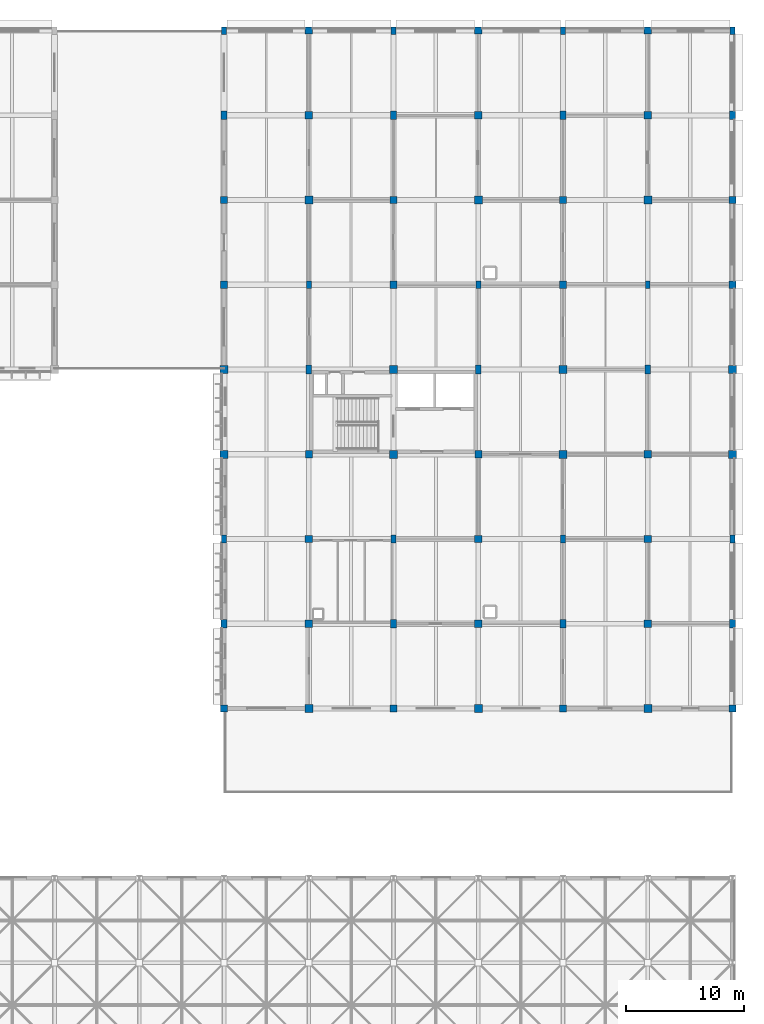
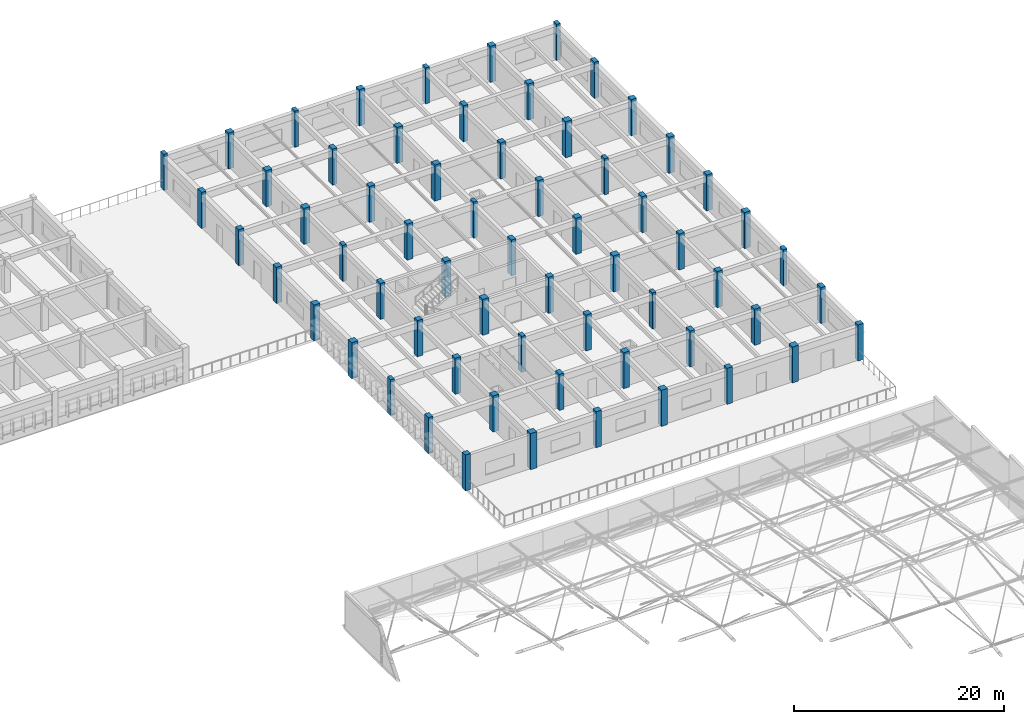
# One storey, part 8 of 103: 63 columns.
"""IFC4 building model written with IfcOpenShell, lengths in metres."""

from ifc_helpers import new_model, si_unit, direction, frame, origin, origin_2d, place, context, subcontext, project, spatial, rectangle, extrude, material, material_profile, profile_set, type_object, element, save


model = new_model("IFC4")

# Units and contexts
model_context = context("Model", 3, precision=1e-05, world=origin(), true_north=direction((0.0, 1.0)))
body_context = subcontext(model_context, "Body", "Model", "MODEL_VIEW")
ifc_project = project(units=[si_unit("LENGTHUNIT", "METRE"), si_unit("AREAUNIT", "SQUARE_METRE"), si_unit("VOLUMEUNIT", "CUBIC_METRE"), si_unit("PLANEANGLEUNIT", "RADIAN"), si_unit("MASSUNIT", "GRAM", prefix="KILO")], contexts=[model_context])

# Site, building, storey
site_placement = place(None, origin())
site = spatial("IfcSite", under=ifc_project, at=site_placement, CompositionType="ELEMENT")
building_placement = place(site_placement, origin())
building = spatial("IfcBuilding", under=site, at=building_placement, Name="Thalmaran Polytechnic", CompositionType="ELEMENT")
storey_placement = place(building_placement, frame((0.0, 0.0, 14.39990234375)))
storey = spatial("IfcBuildingStorey", under=building, at=storey_placement, Name="L03", CompositionType="ELEMENT", Elevation=14.39990234375)

# Columns
ifc_material = material(Name="Concrete C40/50", Category="concrete")
ifc_material_profile_1 = material_profile(ifc_material, rectangle(XDim=0.64990234375, YDim=0.64990234375, at=origin_2d()), Name="RC 650x650")
ifc_profile_set_1 = profile_set([ifc_material_profile_1], Name="Concrete C40/50")
column_type_1 = type_object("IfcColumnType", Name="COL-C06", PredefinedType="COLUMN", material=ifc_profile_set_1)
for number, where, z_axis, x_axis, name in (
    (1, (129.60009765625, 93.60009765625, 0.0), (0.0, 0.0, 1.0), (1.0, 0.0, 0.0), "Column C06 L03 (18,13)"),
    (2, (136.800048828125, 72.0, 0.0), (0.0, 0.0, 1.0), (1.0, 0.0, 0.0), "Column C06 L03 (19,10)"),
    (3, (136.800048828125, 115.199951171875, 0.0), (0.0, 0.0, 1.0), (1.0, 0.0, 0.0), "Column C06 L03 (19,16)"),
    (4, (144.0, 93.60009765625, 0.0), (0.0, 0.0, 1.0), (1.0, 0.0, 0.0), "Column C06 L03 (20,13)"),
    (5, (151.199951171875, 72.0, 0.0), (0.0, 0.0, 1.0), (1.0, 0.0, 0.0), "Column C06 L03 (21,10)"),
    (6, (151.199951171875, 115.199951171875, 0.0), (0.0, 0.0, 1.0), (1.0, 0.0, 0.0), "Column C06 L03 (21,16)"),
    (7, (158.39990234375, 93.60009765625, 0.0), (0.0, 0.0, 1.0), (1.0, 0.0, 0.0), "Column C06 L03 (22,13)"),
    (8, (165.60009765625, 72.0, 0.0), (0.0, 0.0, 1.0), (1.0, 0.0, 0.0), "Column C06 L03 (23,10)"),
    (9, (165.60009765625, 115.199951171875, 0.0), (0.0, 0.0, 1.0), (1.0, 0.0, 0.0), "Column C06 L03 (23,16)"),
    (10, (172.800048828125, 93.60009765625, 0.0), (0.0, 0.0, 1.0), (1.0, 0.0, 0.0), "Column C06 L03 (24,13)"),
):
    element("IfcColumn", number, at=place(storey_placement, frame(where, z_axis=z_axis, x_axis=x_axis)), inside=storey, type_object=column_type_1, Name=name, PredefinedType="COLUMN", context=body_context, shape_type="SweptSolid", body=[
        extrude(rectangle(XDim=0.64990234375, YDim=0.64990234375, at=origin_2d()), origin(), (0.0, 0.0, 1.0), 4.2001953125),
    ])
ifc_material_profile_2 = material_profile(ifc_material, rectangle(XDim=0.60009765625, YDim=0.60009765625, at=origin_2d()), Name="RC 600x600")
ifc_profile_set_2 = profile_set([ifc_material_profile_2], Name="Concrete C40/50")
column_type_2 = type_object("IfcColumnType", Name="COL-C07", PredefinedType="COLUMN", material=ifc_profile_set_2)
for number, where, z_axis, x_axis, name in (
    (11, (129.60009765625, 64.800048828125, 0.0), (0.0, 0.0, 1.0), (1.0, 0.0, 0.0), "Column C07 L03 (18,9)"),
    (12, (129.60009765625, 108.0, 0.0), (0.0, 0.0, 1.0), (1.0, 0.0, 0.0), "Column C07 L03 (18,15)"),
    (13, (136.800048828125, 86.39990234375, 0.0), (0.0, 0.0, 1.0), (1.0, 0.0, 0.0), "Column C07 L03 (19,12)"),
    (14, (144.0, 64.800048828125, 0.0), (0.0, 0.0, 1.0), (1.0, 0.0, 0.0), "Column C07 L03 (20,9)"),
    (15, (144.0, 108.0, 0.0), (0.0, 0.0, 1.0), (1.0, 0.0, 0.0), "Column C07 L03 (20,15)"),
    (16, (151.199951171875, 86.39990234375, 0.0), (0.0, 0.0, 1.0), (1.0, 0.0, 0.0), "Column C07 L03 (21,12)"),
    (17, (158.39990234375, 64.800048828125, 0.0), (0.0, 0.0, 1.0), (1.0, 0.0, 0.0), "Column C07 L03 (22,9)"),
    (18, (158.39990234375, 108.0, 0.0), (0.0, 0.0, 1.0), (1.0, 0.0, 0.0), "Column C07 L03 (22,15)"),
    (19, (165.60009765625, 86.39990234375, 0.0), (0.0, 0.0, 1.0), (1.0, 0.0, 0.0), "Column C07 L03 (23,12)"),
    (20, (172.800048828125, 64.800048828125, 0.0), (0.0, 0.0, 1.0), (1.0, 0.0, 0.0), "Column C07 L03 (24,9)"),
    (21, (172.800048828125, 108.0, 0.0), (0.0, 0.0, 1.0), (1.0, 0.0, 0.0), "Column C07 L03 (24,15)"),
):
    element("IfcColumn", number, at=place(storey_placement, frame(where, z_axis=z_axis, x_axis=x_axis)), inside=storey, type_object=column_type_2, Name=name, PredefinedType="COLUMN", context=body_context, shape_type="SweptSolid", body=[
        extrude(rectangle(XDim=0.60009765625, YDim=0.60009765625, at=origin_2d()), origin(), (0.0, 0.0, 1.0), 4.2001953125),
    ])
ifc_material_profile_3 = material_profile(ifc_material, rectangle(XDim=0.5, YDim=0.75, at=origin_2d()), Name="RC 500x750")
ifc_profile_set_3 = profile_set([ifc_material_profile_3], Name="Concrete C40/50")
column_type_3 = type_object("IfcColumnType", Name="COL-C13", PredefinedType="COLUMN", material=ifc_profile_set_3)
for number, where, z_axis, x_axis, name in (
    (22, (129.60009765625, 72.0, 0.0), (0.0, 0.0, 1.0), (1.0, 0.0, 0.0), "Column C13 L03 (18,10)"),
    (23, (129.60009765625, 115.199951171875, 0.0), (0.0, 0.0, 1.0), (1.0, 0.0, 0.0), "Column C13 L03 (18,16)"),
    (24, (136.800048828125, 93.60009765625, 0.0), (0.0, 0.0, 1.0), (1.0, 0.0, 0.0), "Column C13 L03 (19,13)"),
    (25, (144.0, 72.0, 0.0), (0.0, 0.0, 1.0), (1.0, 0.0, 0.0), "Column C13 L03 (20,10)"),
    (26, (144.0, 115.199951171875, 0.0), (0.0, 0.0, 1.0), (1.0, 0.0, 0.0), "Column C13 L03 (20,16)"),
    (27, (151.199951171875, 93.60009765625, 0.0), (0.0, 0.0, 1.0), (1.0, 0.0, 0.0), "Column C13 L03 (21,13)"),
    (28, (158.39990234375, 72.0, 0.0), (0.0, 0.0, 1.0), (1.0, 0.0, 0.0), "Column C13 L03 (22,10)"),
    (29, (158.39990234375, 115.199951171875, 0.0), (0.0, 0.0, 1.0), (1.0, 0.0, 0.0), "Column C13 L03 (22,16)"),
    (30, (165.60009765625, 93.60009765625, 0.0), (0.0, 0.0, 1.0), (1.0, 0.0, 0.0), "Column C13 L03 (23,13)"),
    (31, (172.800048828125, 72.0, 0.0), (0.0, 0.0, 1.0), (1.0, 0.0, 0.0), "Column C13 L03 (24,10)"),
    (32, (172.800048828125, 115.199951171875, 0.0), (0.0, 0.0, 1.0), (1.0, 0.0, 0.0), "Column C13 L03 (24,16)"),
):
    element("IfcColumn", number, at=place(storey_placement, frame(where, z_axis=z_axis, x_axis=x_axis)), inside=storey, type_object=column_type_3, Name=name, PredefinedType="COLUMN", context=body_context, shape_type="SweptSolid", body=[
        extrude(rectangle(XDim=0.5, YDim=0.75, at=origin_2d()), origin(), (0.0, 0.0, 1.0), 4.2001953125),
    ])
ifc_material_profile_4 = material_profile(ifc_material, rectangle(XDim=0.679931640625, YDim=0.679931640625, at=origin_2d()), Name="RC 680x680")
ifc_profile_set_4 = profile_set([ifc_material_profile_4], Name="Concrete C40/50")
column_type_4 = type_object("IfcColumnType", Name="COL-ZC05", PredefinedType="COLUMN", material=ifc_profile_set_4)
for number, where, z_axis, x_axis, name in (
    (33, (129.60009765625, 86.39990234375, 0.0), (0.0, 0.0, 1.0), (1.0, 0.0, 0.0), "Column ZC05 L03 (18,12)"),
    (34, (136.800048828125, 64.800048828125, 0.0), (0.0, 0.0, 1.0), (1.0, 0.0, 0.0), "Column ZC05 L03 (19,9)"),
    (35, (136.800048828125, 108.0, 0.0), (0.0, 0.0, 1.0), (1.0, 0.0, 0.0), "Column ZC05 L03 (19,15)"),
    (36, (144.0, 86.39990234375, 0.0), (0.0, 0.0, 1.0), (1.0, 0.0, 0.0), "Column ZC05 L03 (20,12)"),
    (37, (151.199951171875, 64.800048828125, 0.0), (0.0, 0.0, 1.0), (1.0, 0.0, 0.0), "Column ZC05 L03 (21,9)"),
    (38, (151.199951171875, 108.0, 0.0), (0.0, 0.0, 1.0), (1.0, 0.0, 0.0), "Column ZC05 L03 (21,15)"),
    (39, (158.39990234375, 86.39990234375, 0.0), (0.0, 0.0, 1.0), (1.0, 0.0, 0.0), "Column ZC05 L03 (22,12)"),
    (40, (165.60009765625, 64.800048828125, 0.0), (0.0, 0.0, 1.0), (1.0, 0.0, 0.0), "Column ZC05 L03 (23,9)"),
    (41, (165.60009765625, 108.0, 0.0), (0.0, 0.0, 1.0), (1.0, 0.0, 0.0), "Column ZC05 L03 (23,15)"),
    (42, (172.800048828125, 86.39990234375, 0.0), (0.0, 0.0, 1.0), (1.0, 0.0, 0.0), "Column ZC05 L03 (24,12)"),
):
    element("IfcColumn", number, at=place(storey_placement, frame(where, z_axis=z_axis, x_axis=x_axis)), inside=storey, type_object=column_type_4, Name=name, PredefinedType="COLUMN", context=body_context, shape_type="SweptSolid", body=[
        extrude(rectangle(XDim=0.679931640625, YDim=0.679931640625, at=origin_2d()), origin(), (0.0, 0.0, 1.0), 4.2001953125),
    ])
ifc_material_profile_5 = material_profile(ifc_material, rectangle(XDim=0.6201171875, YDim=0.6201171875, at=origin_2d()), Name="RC 620x620")
ifc_profile_set_5 = profile_set([ifc_material_profile_5], Name="Concrete C40/50")
column_type_5 = type_object("IfcColumnType", Name="COL-ZC06", PredefinedType="COLUMN", material=ifc_profile_set_5)
for number, where, z_axis, x_axis, name in (
    (43, (129.60009765625, 100.800048828125, 0.0), (0.0, 0.0, 1.0), (1.0, 0.0, 0.0), "Column ZC06 L03 (18,14)"),
    (44, (136.800048828125, 79.199951171875, 0.0), (0.0, 0.0, 1.0), (1.0, 0.0, 0.0), "Column ZC06 L03 (19,11)"),
    (45, (136.800048828125, 122.39990234375, 0.0), (0.0, 0.0, 1.0), (1.0, 0.0, 0.0), "Column ZC06 L03 (19,17)"),
    (46, (144.0, 100.800048828125, 0.0), (0.0, 0.0, 1.0), (1.0, 0.0, 0.0), "Column ZC06 L03 (20,14)"),
    (47, (151.199951171875, 79.199951171875, 0.0), (0.0, 0.0, 1.0), (1.0, 0.0, 0.0), "Column ZC06 L03 (21,11)"),
    (48, (151.199951171875, 122.39990234375, 0.0), (0.0, 0.0, 1.0), (1.0, 0.0, 0.0), "Column ZC06 L03 (21,17)"),
    (49, (158.39990234375, 100.800048828125, 0.0), (0.0, 0.0, 1.0), (1.0, 0.0, 0.0), "Column ZC06 L03 (22,14)"),
    (50, (165.60009765625, 79.199951171875, 0.0), (0.0, 0.0, 1.0), (1.0, 0.0, 0.0), "Column ZC06 L03 (23,11)"),
    (51, (165.60009765625, 122.39990234375, 0.0), (0.0, 0.0, 1.0), (1.0, 0.0, 0.0), "Column ZC06 L03 (23,17)"),
    (52, (172.800048828125, 100.800048828125, 0.0), (0.0, 0.0, 1.0), (1.0, 0.0, 0.0), "Column ZC06 L03 (24,14)"),
):
    element("IfcColumn", number, at=place(storey_placement, frame(where, z_axis=z_axis, x_axis=x_axis)), inside=storey, type_object=column_type_5, Name=name, PredefinedType="COLUMN", context=body_context, shape_type="SweptSolid", body=[
        extrude(rectangle(XDim=0.6201171875, YDim=0.6201171875, at=origin_2d()), origin(), (0.0, 0.0, 1.0), 4.2001953125),
    ])
ifc_material_profile_6 = material_profile(ifc_material, rectangle(XDim=0.419921875, YDim=0.639892578125, at=origin_2d()), Name="RC 420x640")
ifc_profile_set_6 = profile_set([ifc_material_profile_6], Name="Concrete C40/50")
column_type_6 = type_object("IfcColumnType", Name="COL-ZC10", PredefinedType="PILASTER", material=ifc_profile_set_6)
for number, where, z_axis, x_axis, name in (
    (53, (129.60009765625, 79.199951171875, 0.0), (0.0, 0.0, 1.0), (1.0, 0.0, 0.0), "Column ZPL1 L03 (18,11)"),
    (54, (129.60009765625, 122.39990234375, 0.0), (0.0, 0.0, 1.0), (1.0, 0.0, 0.0), "Column ZPL1 L03 (18,17)"),
    (55, (136.800048828125, 100.800048828125, 0.0), (0.0, 0.0, 1.0), (1.0, 0.0, 0.0), "Column ZPL1 L03 (19,14)"),
    (56, (144.0, 79.199951171875, 0.0), (0.0, 0.0, 1.0), (1.0, 0.0, 0.0), "Column ZPL1 L03 (20,11)"),
    (57, (144.0, 122.39990234375, 0.0), (0.0, 0.0, 1.0), (1.0, 0.0, 0.0), "Column ZPL1 L03 (20,17)"),
    (58, (151.199951171875, 100.800048828125, 0.0), (0.0, 0.0, 1.0), (1.0, 0.0, 0.0), "Column ZPL1 L03 (21,14)"),
    (59, (158.39990234375, 79.199951171875, 0.0), (0.0, 0.0, 1.0), (1.0, 0.0, 0.0), "Column ZPL1 L03 (22,11)"),
    (60, (158.39990234375, 122.39990234375, 0.0), (0.0, 0.0, 1.0), (1.0, 0.0, 0.0), "Column ZPL1 L03 (22,17)"),
    (61, (165.60009765625, 100.800048828125, 0.0), (0.0, 0.0, 1.0), (1.0, 0.0, 0.0), "Column ZPL1 L03 (23,14)"),
    (62, (172.800048828125, 79.199951171875, 0.0), (0.0, 0.0, 1.0), (1.0, 0.0, 0.0), "Column ZPL1 L03 (24,11)"),
    (63, (172.800048828125, 122.39990234375, 0.0), (0.0, 0.0, 1.0), (1.0, 0.0, 0.0), "Column ZPL1 L03 (24,17)"),
):
    element("IfcColumn", number, at=place(storey_placement, frame(where, z_axis=z_axis, x_axis=x_axis)), inside=storey, type_object=column_type_6, Name=name, PredefinedType="PILASTER", context=body_context, shape_type="SweptSolid", body=[
        extrude(rectangle(XDim=0.419921875, YDim=0.639892578125, at=origin_2d()), origin(), (0.0, 0.0, 1.0), 4.2001953125),
    ])

save(model, "model.ifc")
